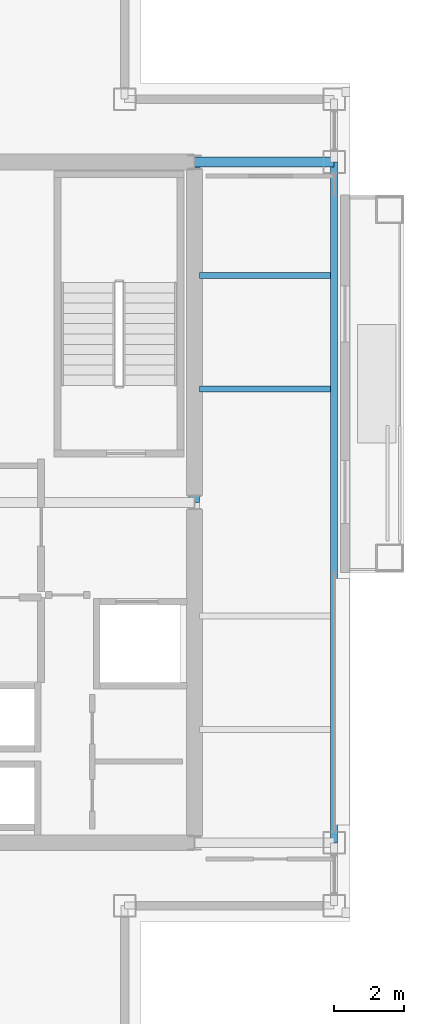
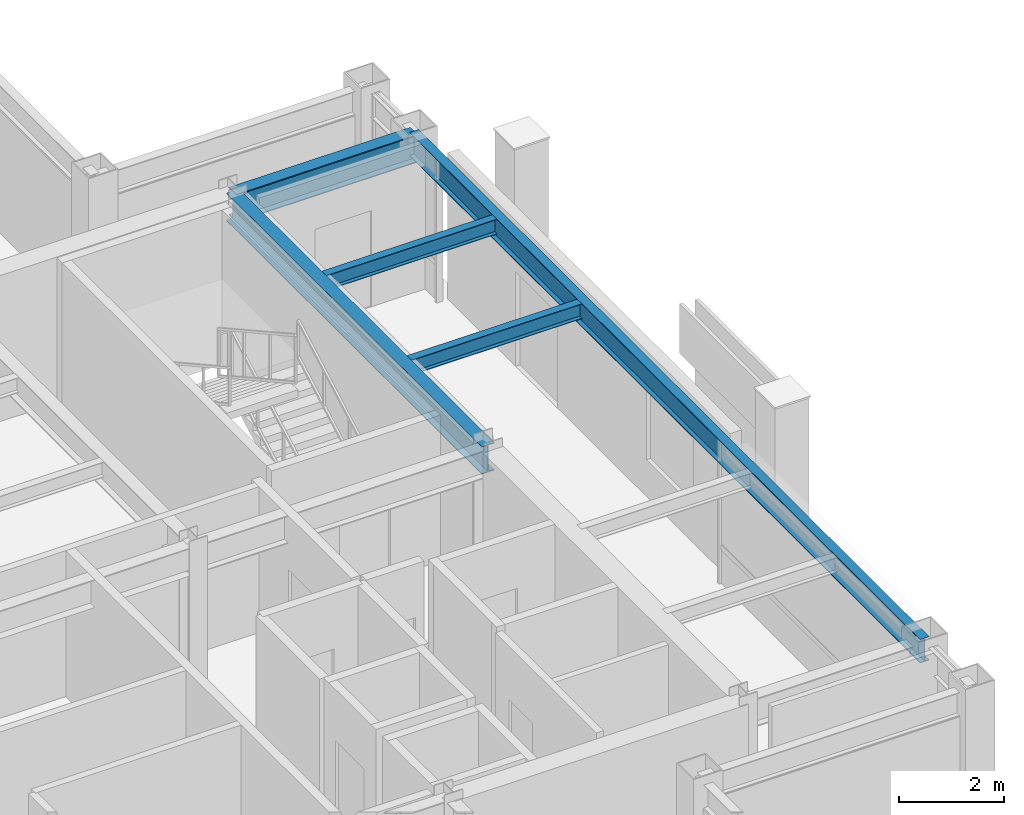
# One storey, part 15 of 28: 5 beams.
"""IFC4 building model written with IfcOpenShell, lengths in metres."""

import ifcopenshell
import ifcopenshell.guid

model = None  # the IFC model being written
_history = None  # IfcOwnerHistory: only IFC2X3 demands one
_inside = {}  # id of a spatial element -> (the spatial element, [elements in it])
_under = {}  # id of a project, library or spatial element -> (it, [spatial elements below it])
_declared = {}  # id of a project -> (the project, [libraries it declares])
_typed = {}  # id of a type object -> (the type object, [elements of that type])
_made_of = {}  # id of a material, layer set ... -> (it, [elements and type objects made of it])


def new_model(schema):
    """Start an empty IFC model of exactly this schema.

    Asked for "IFC4X3", IfcOpenShell would pick the latest addendum, in which some entities
    have other attributes; the version numbers below select the first issue.
    IFC2X3 requires an IfcOwnerHistory on every rooted entity: one is made here for all.
    """
    global model, _history
    if schema == "IFC4X3":
        model = ifcopenshell.file(schema_version=(4, 3, 0, 0))
    else:
        model = ifcopenshell.file(schema=schema)
    _inside.clear()
    _under.clear()
    _declared.clear()
    _typed.clear()
    _made_of.clear()
    _history = None
    if model.schema == "IFC2X3":
        org = make("IfcOrganization", Name="unknown")
        user = make(
            "IfcPersonAndOrganization",
            ThePerson=make("IfcPerson", FamilyName="unknown"),
            TheOrganization=org,
        )
        app = make(
            "IfcApplication",
            ApplicationDeveloper=org,
            Version="unknown",
            ApplicationFullName="unknown",
            ApplicationIdentifier="unknown",
        )
        _history = make(
            "IfcOwnerHistory",
            OwningUser=user,
            OwningApplication=app,
            ChangeAction="ADDED",
            CreationDate=0,
        )
    return model


def make(cls, **values):
    """One entity of the class cls with the attributes given. An attribute that is None is left unset."""
    return model.create_entity(
        cls, **{name: value for name, value in values.items() if value is not None}
    )


def rooted(cls, **values):
    """An entity with a GlobalId (a new one), such as an element, a storey or a relation."""
    return make(cls, GlobalId=ifcopenshell.guid.new(), OwnerHistory=_history, **values)


def si_unit(unit_type, name, prefix=None):
    """IfcSIUnit, for example si_unit("LENGTHUNIT", "METRE", prefix="MILLI")."""
    return make("IfcSIUnit", UnitType=unit_type, Prefix=prefix, Name=name)


def assignment(units):
    """IfcUnitAssignment: the units of a project."""
    return None if units is None else make("IfcUnitAssignment", Units=units)


def point(xyz):
    """IfcCartesianPoint."""
    return None if xyz is None else make("IfcCartesianPoint", Coordinates=xyz)


def direction(xyz):
    """IfcDirection."""
    return None if xyz is None else make("IfcDirection", DirectionRatios=xyz)


def frame(location, z_axis=None, x_axis=None):
    """IfcAxis2Placement3D, a coordinate frame: its origin and axes. An axis left out is left unset."""
    return make(
        "IfcAxis2Placement3D",
        Location=point(location),
        Axis=direction(z_axis),
        RefDirection=direction(x_axis),
    )


def frame_2d(location, x_axis=None):
    """IfcAxis2Placement2D, a coordinate frame in the plane: its origin and x axis."""
    return make(
        "IfcAxis2Placement2D", Location=point(location), RefDirection=direction(x_axis)
    )


def origin():
    """The frame at (0, 0, 0) with its axes left unset."""
    return frame((0.0, 0.0, 0.0))


def origin_2d():
    """The frame at (0, 0) in the plane with its x axis left unset."""
    return frame_2d((0.0, 0.0))


def place(relative_to, where):
    """IfcLocalPlacement: puts the frame where relative to a parent placement (None: the world)."""
    return make(
        "IfcLocalPlacement", PlacementRelTo=relative_to, RelativePlacement=where
    )


def context(
    kind, dimensions, precision=None, world=None, true_north=None, identifier=None
):
    """IfcGeometricRepresentationContext, for example the 3D "Model" context."""
    return make(
        "IfcGeometricRepresentationContext",
        ContextIdentifier=identifier,
        ContextType=kind,
        CoordinateSpaceDimension=dimensions,
        Precision=precision,
        WorldCoordinateSystem=world,
        TrueNorth=true_north,
    )


def subcontext(parent, identifier, kind, view, scale=None):
    """IfcGeometricRepresentationSubContext, for example "Body" below "Model"."""
    return make(
        "IfcGeometricRepresentationSubContext",
        ContextIdentifier=identifier,
        ContextType=kind,
        ParentContext=parent,
        TargetScale=scale,
        TargetView=view,
    )


def project(units=None, contexts=None):
    """IfcProject with its units and contexts."""
    return rooted(
        "IfcProject",
        Name="project",
        RepresentationContexts=contexts,
        UnitsInContext=assignment(units),
    )


def spatial(cls, under=None, at=None, **own):
    """A site, building, storey or space (cls), placed at a placement, below another one or the project."""
    s = rooted(cls, ObjectPlacement=at, **own)
    if under is not None:
        _under.setdefault(under.id(), (under, []))[1].append(s)
    return s


def profile(cls, at=None, kind="AREA", **sizes):
    """A parametric profile (cls). Its sizes go by their IFC names, for example OverallWidth=200.0."""
    return make(cls, ProfileType=kind, Position=at, **sizes)


def i_section(**sizes):
    """IfcIShapeProfileDef."""
    return profile("IfcIShapeProfileDef", **sizes)


def extrude(swept, where, along, depth):
    """IfcExtrudedAreaSolid: the profile swept, set in the frame where, extruded along a direction by depth."""
    return make(
        "IfcExtrudedAreaSolid",
        SweptArea=swept,
        Position=where,
        ExtrudedDirection=direction(along),
        Depth=depth,
    )


def shape(context_of_items, identifier, shape_type, items):
    """IfcShapeRepresentation: the items that make up one representation, for example the "Body"."""
    return make(
        "IfcShapeRepresentation",
        ContextOfItems=context_of_items,
        RepresentationIdentifier=identifier,
        RepresentationType=shape_type,
        Items=items,
    )


def material(Name=None, Category=None):
    """IfcMaterial."""
    return make("IfcMaterial", Name=Name, Category=Category)


def material_profile(
    of_material, cross_section, Name=None, Category=None, Priority=None
):
    """IfcMaterialProfile: a cross section and its material."""
    return make(
        "IfcMaterialProfile",
        Name=Name,
        Material=of_material,
        Profile=cross_section,
        Priority=Priority,
        Category=Category,
    )


def profile_set(profiles, Name=None, composite=None):
    """IfcMaterialProfileSet."""
    return make(
        "IfcMaterialProfileSet",
        Name=Name,
        MaterialProfiles=profiles,
        CompositeProfile=composite,
    )


def made_of(thing, what):
    """Note that an element or type object is made of a material, layer set ...; save() writes the relation."""
    if what is not None:
        _made_of.setdefault(what.id(), (what, []))[1].append(thing)
    return thing


def type_object(cls, material=None, **own):
    """A type object (cls), such as IfcWallType, which elements share."""
    return made_of(rooted(cls, **own), material)


def element(
    cls,
    number,
    at=None,
    inside=None,
    cuts=None,
    type_object=None,
    material=None,
    context=None,
    identifier="Body",
    shape_type=None,
    held_by="IfcProductDefinitionShape",
    body=None,
    shapes=None,
    **own,
):
    """One element of the class cls, such as IfcWall. Its Tag is "e" and its number.

    at: its placement. inside: the storey or other place that contains it. cuts: it is an
    opening in that element (IfcRelVoidsElement). A single representation is given by context,
    identifier, shape_type and body (its items); several are given by shapes. held_by: the class
    of the entity that holds the representations. save() writes the other relations.
    """
    e = rooted(cls, Tag="e%d" % number, ObjectPlacement=at, **own)
    if body is not None:
        shapes = [shape(context, identifier, shape_type, body)]
    if shapes is not None:
        e.Representation = make(held_by, Representations=shapes)
    if inside is not None:
        _inside.setdefault(inside.id(), (inside, []))[1].append(e)
    if cuts is not None:
        rooted(
            "IfcRelVoidsElement", RelatingBuildingElement=cuts, RelatedOpeningElement=e
        )
    if type_object is not None:
        _typed.setdefault(type_object.id(), (type_object, []))[1].append(e)
    return made_of(e, material)


def aggregate(whole, parts):
    """IfcRelAggregates: a whole, such as a stair, and the parts it consists of."""
    return rooted("IfcRelAggregates", RelatingObject=whole, RelatedObjects=parts)


def save(model, path):
    """Write the relations noted so far, then the file.

    IfcRelAggregates (storeys below a building ...), IfcRelContainedInSpatialStructure (elements
    in a storey), IfcRelDefinesByType, IfcRelAssociatesMaterial and IfcRelDeclares: one each for
    every whole, place, type object, material and project.
    """
    for whole, parts in _under.values():
        aggregate(whole, parts)
    for where, things in _inside.values():
        rooted(
            "IfcRelContainedInSpatialStructure",
            RelatedElements=things,
            RelatingStructure=where,
        )
    for kind, things in _typed.values():
        rooted("IfcRelDefinesByType", RelatedObjects=things, RelatingType=kind)
    for what, things in _made_of.values():
        rooted("IfcRelAssociatesMaterial", RelatedObjects=things, RelatingMaterial=what)
    for by, libraries in _declared.values():
        rooted("IfcRelDeclares", RelatingContext=by, RelatedDefinitions=libraries)
    model.write(path)


model = new_model("IFC4")

# Units and contexts
model_context = context("Model", 3, precision=1e-05, world=origin(), true_north=direction((0.0, 1.0)))
body_context = subcontext(model_context, "Body", "Model", "MODEL_VIEW")
ifc_project = project(units=[si_unit("LENGTHUNIT", "METRE"), si_unit("AREAUNIT", "SQUARE_METRE"), si_unit("VOLUMEUNIT", "CUBIC_METRE"), si_unit("PLANEANGLEUNIT", "RADIAN"), si_unit("MASSUNIT", "GRAM", prefix="KILO")], contexts=[model_context])

# Site, building, storey
site_placement = place(None, origin())
site = spatial("IfcSite", under=ifc_project, at=site_placement, CompositionType="ELEMENT")
building_placement = place(site_placement, origin())
building = spatial("IfcBuilding", under=site, at=building_placement, Name="Brelmoor Portico Tower", CompositionType="ELEMENT")
storey_placement = place(building_placement, frame((0.0, 0.0, 225.60009765625)))
storey = spatial("IfcBuildingStorey", under=building, at=storey_placement, Name="L59", CompositionType="ELEMENT", Elevation=225.60009765625)

# Beams
ifc_material = material(Name="Steel Q355B", Category="steel")
ifc_material_profile_1 = material_profile(ifc_material, i_section(OverallWidth=0.175048828125, OverallDepth=0.35009765625, WebThickness=0.007080078125, FlangeThickness=0.010986328125, at=origin_2d()), Name="HN 350x175x7x11")
ifc_profile_set_1 = profile_set([ifc_material_profile_1], Name="Steel Q355B")
beam_type_1 = type_object("IfcBeamType", Name="BM-JS-350", PredefinedType="JOIST", material=ifc_profile_set_1)
for number, where, z_axis, x_axis, name in (
    (1, (14.68994140625, 3.25, 3.224853515625), (1.0, 0.0, 0.0), (0.0, 1.0, 0.0), "L59 Secondary Wing Joist JS-E13"),
    (2, (14.68994140625, 6.5, 3.224853515625), (1.0, 0.0, 0.0), (0.0, 1.0, 0.0), "L59 Secondary Wing Joist JS-E14"),
):
    element("IfcBeam", number, at=place(storey_placement, frame(where, z_axis=z_axis, x_axis=x_axis)), inside=storey, type_object=beam_type_1, Name=name, PredefinedType="JOIST", context=body_context, shape_type="SweptSolid", body=[
        extrude(i_section(OverallWidth=0.175048828125, OverallDepth=0.35009765625, WebThickness=0.007080078125, FlangeThickness=0.010986328125, at=origin_2d()), origin(), (0.0, 0.0, 1.0), 3.760009765625),
    ])
ifc_material_profile_2 = material_profile(ifc_material, i_section(OverallWidth=0.280029296875, OverallDepth=0.64990234375, WebThickness=0.012939453125, FlangeThickness=0.02197265625, at=origin_2d()), Name="HN 650x280x13x22")
ifc_profile_set_2 = profile_set([ifc_material_profile_2], Name="Steel Q355B")
beam_type_2 = type_object("IfcBeamType", Name="BM-PG-650", PredefinedType="BEAM", material=ifc_profile_set_2)
beam_1_placement = place(storey_placement, frame((14.550048828125, 0.0, 3.074951171875), z_axis=(0.0, 1.0, 0.0), x_axis=(-1.0, 0.0, 0.0)))
element("IfcBeam", 3, at=beam_1_placement, inside=storey, type_object=beam_type_2, Name="L59 Primary Floor Girder PG-10", PredefinedType="BEAM", context=body_context, shape_type="SweptSolid", body=[
    extrude(i_section(OverallWidth=0.280029296875, OverallDepth=0.64990234375, WebThickness=0.012939453125, FlangeThickness=0.02197265625, at=origin_2d()), origin(), (0.0, 0.0, 1.0), 9.75),
])
beam_2_placement = place(storey_placement, frame((14.550048828125, 9.75, 3.074951171875), z_axis=(1.0, 0.0, 0.0), x_axis=(0.0, 1.0, 0.0)))
element("IfcBeam", 4, at=beam_2_placement, inside=storey, type_object=beam_type_2, Name="L59 Primary Floor Girder PG-23", PredefinedType="BEAM", context=body_context, shape_type="SweptSolid", body=[
    extrude(i_section(OverallWidth=0.280029296875, OverallDepth=0.64990234375, WebThickness=0.012939453125, FlangeThickness=0.02197265625, at=origin_2d()), origin(), (0.0, 0.0, 1.0), 4.0),
])
ifc_material_profile_3 = material_profile(ifc_material, i_section(OverallWidth=0.199951171875, OverallDepth=0.550048828125, WebThickness=0.010009765625, FlangeThickness=0.01611328125, at=origin_2d()), Name="HN 550x200x10x16")
ifc_profile_set_3 = profile_set([ifc_material_profile_3], Name="Steel Q355B")
beam_type_3 = type_object("IfcBeamType", Name="BM-SP-550", PredefinedType="SPANDREL", material=ifc_profile_set_3)
beam_3_placement = place(storey_placement, frame((18.550048828125, -9.75, 3.125), z_axis=(0.0, 1.0, 0.0), x_axis=(-1.0, 0.0, 0.0)))
element("IfcBeam", 5, at=beam_3_placement, inside=storey, type_object=beam_type_3, Name="L59 Perimeter Spandrel Beam SP-19", PredefinedType="SPANDREL", context=body_context, shape_type="SweptSolid", body=[
    extrude(i_section(OverallWidth=0.199951171875, OverallDepth=0.550048828125, WebThickness=0.010009765625, FlangeThickness=0.01611328125, at=origin_2d()), origin(), (0.0, 0.0, 1.0), 19.5),
])

save(model, "model.ifc")
